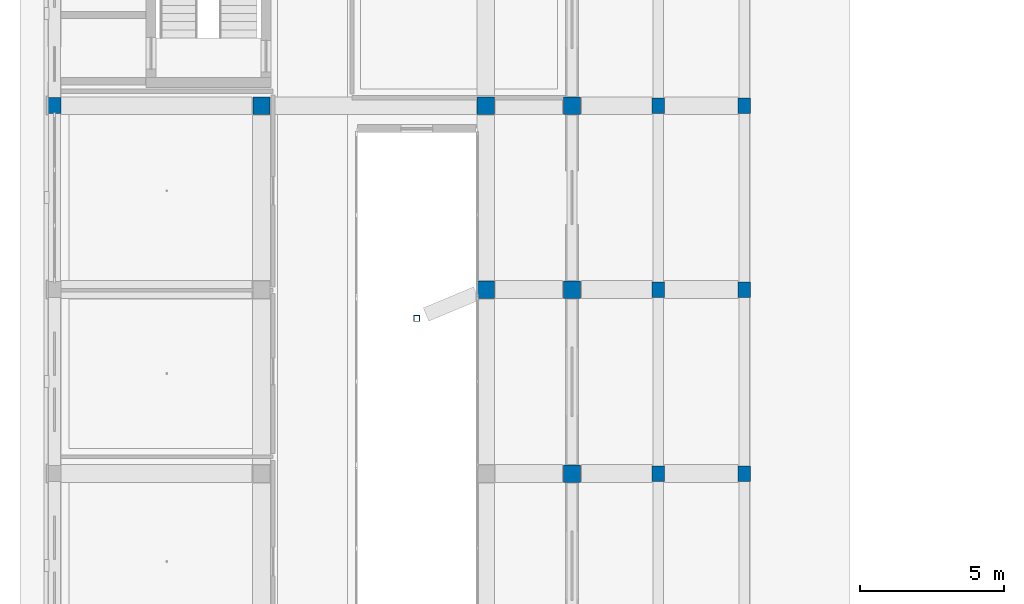
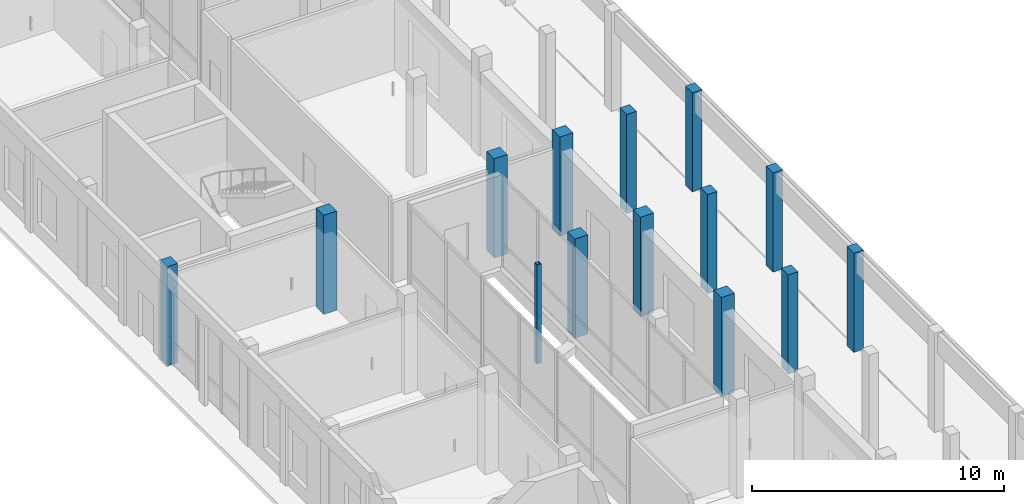
# One storey, part 2 of 88: 14 columns.
"""IFC4 building model written with IfcOpenShell, lengths in metres."""

from ifc_helpers import new_model, si_unit, derived_unit, direction, frame, origin, origin_2d, place, context, subcontext, project, spatial, rectangle, hollow_rectangle, extrude, material, material_profile, profile_set, type_object, element, save


model = new_model("IFC4")

# Units and contexts
model_context = context("Model", 3, precision=1e-05, world=origin(), true_north=direction((0.0, 1.0)))
body_context = subcontext(model_context, "Body", "Model", "MODEL_VIEW")
ifc_project = project(units=[si_unit("LENGTHUNIT", "METRE"), si_unit("AREAUNIT", "SQUARE_METRE"), si_unit("VOLUMEUNIT", "CUBIC_METRE"), si_unit("PLANEANGLEUNIT", "RADIAN"), si_unit("MASSUNIT", "GRAM", prefix="KILO"), derived_unit("THERMALTRANSMITTANCEUNIT", [(si_unit("POWERUNIT", "WATT"), 1), (si_unit("LENGTHUNIT", "METRE"), -2), (si_unit("THERMODYNAMICTEMPERATUREUNIT", "KELVIN"), -1)])], contexts=[model_context])

# Site, building, storey
site_placement = place(None, origin())
site = spatial("IfcSite", under=ifc_project, at=site_placement, CompositionType="ELEMENT")
building_placement = place(site_placement, origin())
building = spatial("IfcBuilding", under=site, at=building_placement, Name="Braskholm Square Health Centre", CompositionType="ELEMENT")
storey_placement = place(building_placement, origin())
storey = spatial("IfcBuildingStorey", under=building, at=storey_placement, Name="L01", CompositionType="ELEMENT", Elevation=0.0)

# Columns
ifc_material_1 = material(Name="Concrete C40/50 (f'c = 40 MPa)", Category="concrete")
ifc_material_profile_1 = material_profile(ifc_material_1, rectangle(XDim=0.60009765625, YDim=0.60009765625, at=origin_2d()), Name="RC-600X600")
ifc_profile_set_1 = profile_set([ifc_material_profile_1], Name="Concrete C40/50 (f'c = 40 MPa)")
column_type_1 = type_object("IfcColumnType", Name="ColInteriorLow600", PredefinedType="COLUMN", material=ifc_profile_set_1)
for number, where, z_axis, x_axis, name in (
    (1, (11.39990234375, 49.0, 0.0), (0.0, 0.0, 1.0), (1.0, 0.0, 0.0), "Column 2/H L01"),
    (2, (19.199951171875, 42.60009765625, 0.0), (0.0, 0.0, 1.0), (1.0, 0.0, 0.0), "Column 3/G L01"),
    (3, (19.199951171875, 49.0, 0.0), (0.0, 0.0, 1.0), (1.0, 0.0, 0.0), "Column 3/H L01"),
    (4, (22.199951171875, 36.199951171875, 0.0), (0.0, 0.0, 1.0), (1.0, 0.0, 0.0), "Column 4/F L01"),
    (5, (22.199951171875, 42.60009765625, 0.0), (0.0, 0.0, 1.0), (1.0, 0.0, 0.0), "Column 4/G L01"),
    (6, (22.199951171875, 49.0, 0.0), (0.0, 0.0, 1.0), (1.0, 0.0, 0.0), "Column 4/H L01"),
):
    element("IfcColumn", number, at=place(storey_placement, frame(where, z_axis=z_axis, x_axis=x_axis)), inside=storey, type_object=column_type_1, Name=name, PredefinedType="COLUMN", context=body_context, shape_type="SweptSolid", body=[
        extrude(rectangle(XDim=0.60009765625, YDim=0.60009765625, at=origin_2d()), origin(), (0.0, 0.0, 1.0), 4.800048828125),
    ])
ifc_material_2 = material(Name="Precast concrete C40/50 architectural white", Category="concrete")
ifc_material_profile_2 = material_profile(ifc_material_2, rectangle(XDim=0.43994140625, YDim=0.5400390625, at=origin_2d()), Name="RC-440X540")
ifc_profile_set_2 = profile_set([ifc_material_profile_2], Name="Precast concrete C40/50 architectural white")
column_type_2 = type_object("IfcColumnType", Name="ColPilasterKasota440x540", PredefinedType="PILASTER", material=ifc_profile_set_2)
for number, where, z_axis, x_axis, name in (
    (7, (25.199951171875, 36.199951171875, 0.0), (0.0, 0.0, 1.0), (1.0, 0.0, 0.0), "Column 5/F L01"),
    (8, (25.199951171875, 42.60009765625, 0.0), (0.0, 0.0, 1.0), (1.0, 0.0, 0.0), "Column 5/G L01"),
    (9, (25.199951171875, 49.0, 0.0), (0.0, 0.0, 1.0), (1.0, 0.0, 0.0), "Column 5/H L01"),
    (10, (28.199951171875, 36.199951171875, 0.0), (0.0, 0.0, 1.0), (1.0, 0.0, 0.0), "Column 6/F L01"),
    (11, (28.199951171875, 42.60009765625, 0.0), (0.0, 0.0, 1.0), (1.0, 0.0, 0.0), "Column 6/G L01"),
    (12, (28.199951171875, 49.0, 0.0), (0.0, 0.0, 1.0), (1.0, 0.0, 0.0), "Column 6/H L01"),
):
    element("IfcColumn", number, at=place(storey_placement, frame(where, z_axis=z_axis, x_axis=x_axis)), inside=storey, type_object=column_type_2, Name=name, PredefinedType="PILASTER", context=body_context, shape_type="SweptSolid", body=[
        extrude(rectangle(XDim=0.43994140625, YDim=0.5400390625, at=origin_2d()), origin(), (0.0, 0.0, 1.0), 4.800048828125),
    ])
ifc_material_profile_3 = material_profile(ifc_material_2, rectangle(XDim=0.4599609375, YDim=0.56005859375, at=origin_2d()), Name="RC-460X560")
ifc_profile_set_3 = profile_set([ifc_material_profile_3], Name="Precast concrete C40/50 architectural white")
column_type_3 = type_object("IfcColumnType", Name="ColPrecastFrame460x560", PredefinedType="COLUMN", material=ifc_profile_set_3)
column_1_placement = place(storey_placement, frame((4.199951171875, 49.0, 0.0), z_axis=(0.0, 0.0, 1.0), x_axis=(1.0, 0.0, 0.0)))
element("IfcColumn", 13, at=column_1_placement, inside=storey, type_object=column_type_3, Name="Column 1/H L01", PredefinedType="COLUMN", context=body_context, shape_type="SweptSolid", body=[
    extrude(rectangle(XDim=0.4599609375, YDim=0.56005859375, at=origin_2d()), origin(), (0.0, 0.0, 1.0), 4.800048828125),
])
ifc_material_3 = material(Name="Steel ASTM A500 Grade C", Category="steel")
ifc_material_profile_4 = material_profile(ifc_material_3, hollow_rectangle(XDim=0.203125, YDim=0.203125, WallThickness=0.0087890625, at=origin_2d()), Name="HSS8X8X3/8")
ifc_profile_set_4 = profile_set([ifc_material_profile_4], Name="Steel ASTM A500 Grade C")
column_type_4 = type_object("IfcColumnType", Name="ColSteelPorchHSS8", PredefinedType="COLUMN", material=ifc_profile_set_4)
column_2_placement = place(storey_placement, frame((16.800048828125, 41.60009765625, 0.0), z_axis=(0.0, 0.0, 1.0), x_axis=(1.0, 0.0, 0.0)))
element("IfcColumn", 14, at=column_2_placement, inside=storey, type_object=column_type_4, Name="Column CS3C L01", PredefinedType="COLUMN", context=body_context, shape_type="SweptSolid", body=[
    extrude(hollow_rectangle(XDim=0.203125, YDim=0.203125, WallThickness=0.0087890625, at=origin_2d()), origin(), (0.0, 0.0, 1.0), 4.800048828125),
])

save(model, "model.ifc")
